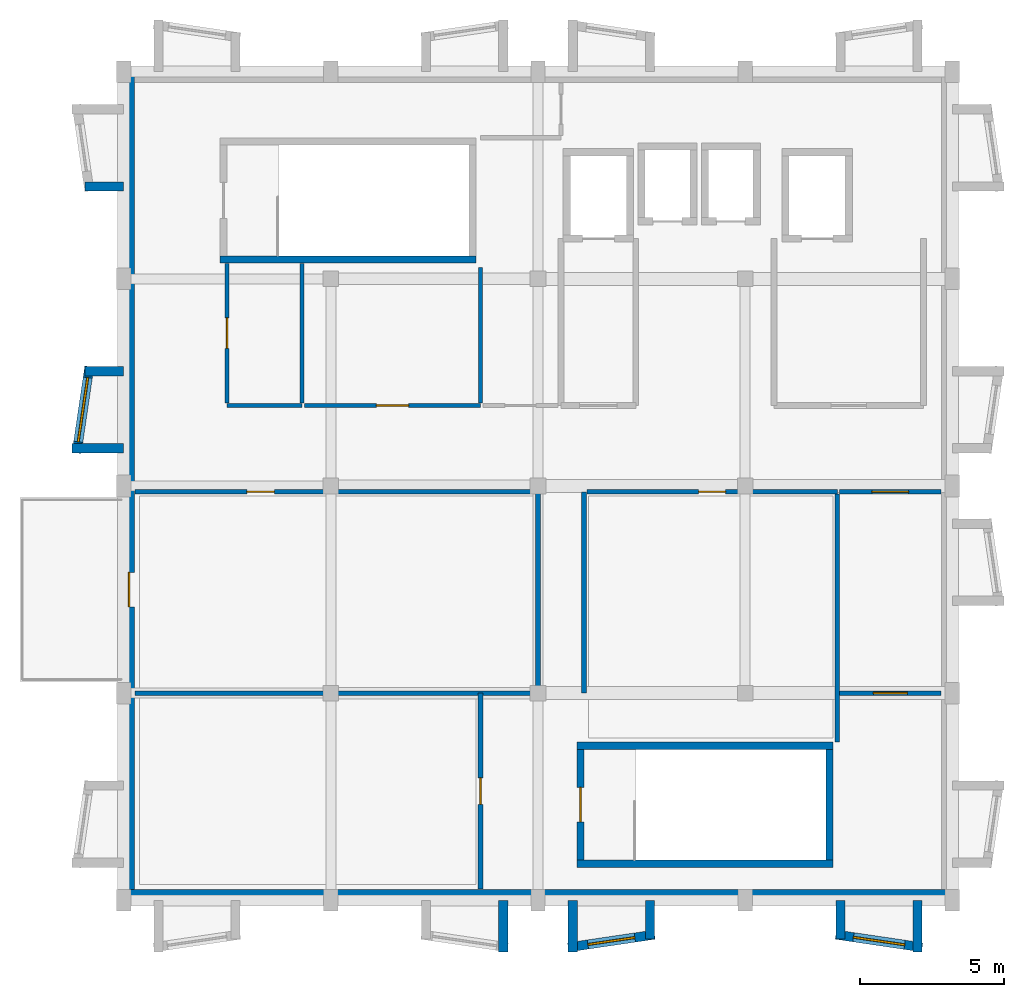
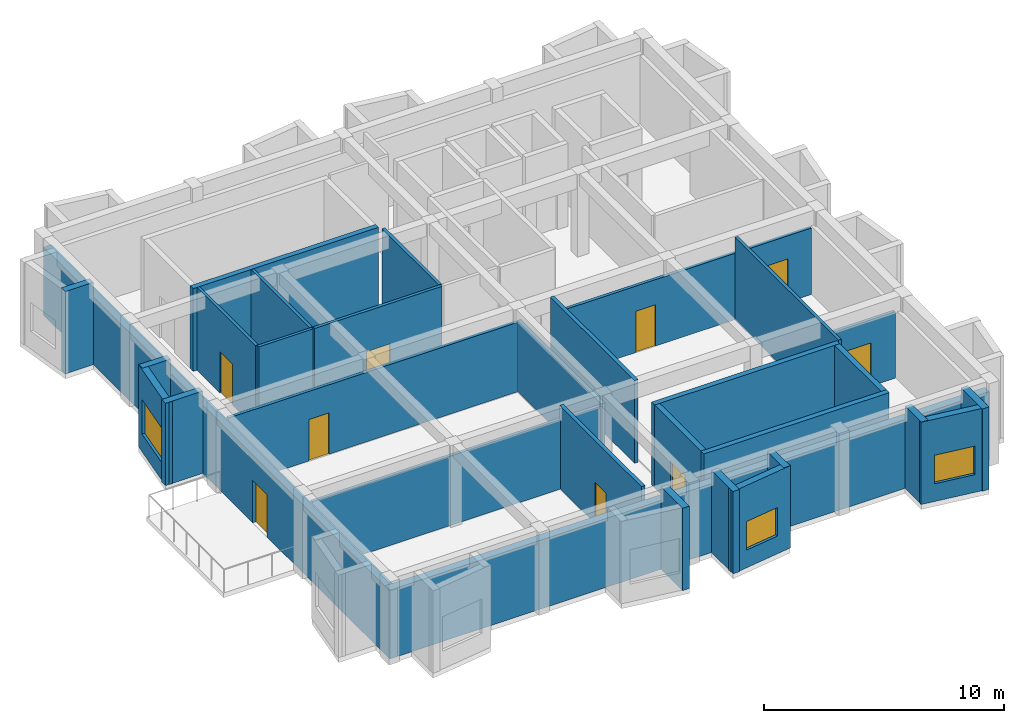
# One storey, part 2 of 5: 32 walls, 9 doors, 3 windows, 12 openings.
"""IFC4 building model written with IfcOpenShell, lengths in metres."""

import ifcopenshell
import ifcopenshell.guid

model = None  # the IFC model being written
_history = None  # IfcOwnerHistory: only IFC2X3 demands one
_inside = {}  # id of a spatial element -> (the spatial element, [elements in it])
_under = {}  # id of a project, library or spatial element -> (it, [spatial elements below it])
_declared = {}  # id of a project -> (the project, [libraries it declares])
_typed = {}  # id of a type object -> (the type object, [elements of that type])
_made_of = {}  # id of a material, layer set ... -> (it, [elements and type objects made of it])


def new_model(schema):
    """Start an empty IFC model of exactly this schema.

    Asked for "IFC4X3", IfcOpenShell would pick the latest addendum, in which some entities
    have other attributes; the version numbers below select the first issue.
    IFC2X3 requires an IfcOwnerHistory on every rooted entity: one is made here for all.
    """
    global model, _history
    if schema == "IFC4X3":
        model = ifcopenshell.file(schema_version=(4, 3, 0, 0))
    else:
        model = ifcopenshell.file(schema=schema)
    _inside.clear()
    _under.clear()
    _declared.clear()
    _typed.clear()
    _made_of.clear()
    _history = None
    if model.schema == "IFC2X3":
        org = make("IfcOrganization", Name="unknown")
        user = make(
            "IfcPersonAndOrganization",
            ThePerson=make("IfcPerson", FamilyName="unknown"),
            TheOrganization=org,
        )
        app = make(
            "IfcApplication",
            ApplicationDeveloper=org,
            Version="unknown",
            ApplicationFullName="unknown",
            ApplicationIdentifier="unknown",
        )
        _history = make(
            "IfcOwnerHistory",
            OwningUser=user,
            OwningApplication=app,
            ChangeAction="ADDED",
            CreationDate=0,
        )
    return model


def make(cls, **values):
    """One entity of the class cls with the attributes given. An attribute that is None is left unset."""
    return model.create_entity(
        cls, **{name: value for name, value in values.items() if value is not None}
    )


def rooted(cls, **values):
    """An entity with a GlobalId (a new one), such as an element, a storey or a relation."""
    return make(cls, GlobalId=ifcopenshell.guid.new(), OwnerHistory=_history, **values)


def si_unit(unit_type, name, prefix=None):
    """IfcSIUnit, for example si_unit("LENGTHUNIT", "METRE", prefix="MILLI")."""
    return make("IfcSIUnit", UnitType=unit_type, Prefix=prefix, Name=name)


def assignment(units):
    """IfcUnitAssignment: the units of a project."""
    return None if units is None else make("IfcUnitAssignment", Units=units)


def point(xyz):
    """IfcCartesianPoint."""
    return None if xyz is None else make("IfcCartesianPoint", Coordinates=xyz)


def direction(xyz):
    """IfcDirection."""
    return None if xyz is None else make("IfcDirection", DirectionRatios=xyz)


def frame(location, z_axis=None, x_axis=None):
    """IfcAxis2Placement3D, a coordinate frame: its origin and axes. An axis left out is left unset."""
    return make(
        "IfcAxis2Placement3D",
        Location=point(location),
        Axis=direction(z_axis),
        RefDirection=direction(x_axis),
    )


def frame_2d(location, x_axis=None):
    """IfcAxis2Placement2D, a coordinate frame in the plane: its origin and x axis."""
    return make(
        "IfcAxis2Placement2D", Location=point(location), RefDirection=direction(x_axis)
    )


def origin():
    """The frame at (0, 0, 0) with its axes left unset."""
    return frame((0.0, 0.0, 0.0))


def place(relative_to, where):
    """IfcLocalPlacement: puts the frame where relative to a parent placement (None: the world)."""
    return make(
        "IfcLocalPlacement", PlacementRelTo=relative_to, RelativePlacement=where
    )


def context(
    kind, dimensions, precision=None, world=None, true_north=None, identifier=None
):
    """IfcGeometricRepresentationContext, for example the 3D "Model" context."""
    return make(
        "IfcGeometricRepresentationContext",
        ContextIdentifier=identifier,
        ContextType=kind,
        CoordinateSpaceDimension=dimensions,
        Precision=precision,
        WorldCoordinateSystem=world,
        TrueNorth=true_north,
    )


def subcontext(parent, identifier, kind, view, scale=None):
    """IfcGeometricRepresentationSubContext, for example "Body" below "Model"."""
    return make(
        "IfcGeometricRepresentationSubContext",
        ContextIdentifier=identifier,
        ContextType=kind,
        ParentContext=parent,
        TargetScale=scale,
        TargetView=view,
    )


def project(units=None, contexts=None):
    """IfcProject with its units and contexts."""
    return rooted(
        "IfcProject",
        Name="project",
        RepresentationContexts=contexts,
        UnitsInContext=assignment(units),
    )


def spatial(cls, under=None, at=None, **own):
    """A site, building, storey or space (cls), placed at a placement, below another one or the project."""
    s = rooted(cls, ObjectPlacement=at, **own)
    if under is not None:
        _under.setdefault(under.id(), (under, []))[1].append(s)
    return s


def profile(cls, at=None, kind="AREA", **sizes):
    """A parametric profile (cls). Its sizes go by their IFC names, for example OverallWidth=200.0."""
    return make(cls, ProfileType=kind, Position=at, **sizes)


def rectangle(**sizes):
    """IfcRectangleProfileDef."""
    return profile("IfcRectangleProfileDef", **sizes)


def extrude(swept, where, along, depth):
    """IfcExtrudedAreaSolid: the profile swept, set in the frame where, extruded along a direction by depth."""
    return make(
        "IfcExtrudedAreaSolid",
        SweptArea=swept,
        Position=where,
        ExtrudedDirection=direction(along),
        Depth=depth,
    )


def shape(context_of_items, identifier, shape_type, items):
    """IfcShapeRepresentation: the items that make up one representation, for example the "Body"."""
    return make(
        "IfcShapeRepresentation",
        ContextOfItems=context_of_items,
        RepresentationIdentifier=identifier,
        RepresentationType=shape_type,
        Items=items,
    )


def material(Name=None, Category=None):
    """IfcMaterial."""
    return make("IfcMaterial", Name=Name, Category=Category)


def layer(
    of_material, thickness, ventilated=None, Name=None, Category=None, Priority=None
):
    """IfcMaterialLayer: one layer of a wall or slab, of a material (None: an air gap)."""
    return make(
        "IfcMaterialLayer",
        Material=of_material,
        LayerThickness=thickness,
        IsVentilated=ventilated,
        Name=Name,
        Category=Category,
        Priority=Priority,
    )


def layer_set(layers, Name=None):
    """IfcMaterialLayerSet."""
    return make("IfcMaterialLayerSet", MaterialLayers=layers, LayerSetName=Name)


def made_of(thing, what):
    """Note that an element or type object is made of a material, layer set ...; save() writes the relation."""
    if what is not None:
        _made_of.setdefault(what.id(), (what, []))[1].append(thing)
    return thing


def type_object(cls, material=None, **own):
    """A type object (cls), such as IfcWallType, which elements share."""
    return made_of(rooted(cls, **own), material)


def element(
    cls,
    number,
    at=None,
    inside=None,
    cuts=None,
    type_object=None,
    material=None,
    context=None,
    identifier="Body",
    shape_type=None,
    held_by="IfcProductDefinitionShape",
    body=None,
    shapes=None,
    **own,
):
    """One element of the class cls, such as IfcWall. Its Tag is "e" and its number.

    at: its placement. inside: the storey or other place that contains it. cuts: it is an
    opening in that element (IfcRelVoidsElement). A single representation is given by context,
    identifier, shape_type and body (its items); several are given by shapes. held_by: the class
    of the entity that holds the representations. save() writes the other relations.
    """
    e = rooted(cls, Tag="e%d" % number, ObjectPlacement=at, **own)
    if body is not None:
        shapes = [shape(context, identifier, shape_type, body)]
    if shapes is not None:
        e.Representation = make(held_by, Representations=shapes)
    if inside is not None:
        _inside.setdefault(inside.id(), (inside, []))[1].append(e)
    if cuts is not None:
        rooted(
            "IfcRelVoidsElement", RelatingBuildingElement=cuts, RelatedOpeningElement=e
        )
    if type_object is not None:
        _typed.setdefault(type_object.id(), (type_object, []))[1].append(e)
    return made_of(e, material)


def fill(opening, filler):
    """IfcRelFillsElement: the door or window that sits in an opening."""
    return rooted(
        "IfcRelFillsElement",
        RelatingOpeningElement=opening,
        RelatedBuildingElement=filler,
    )


def aggregate(whole, parts):
    """IfcRelAggregates: a whole, such as a stair, and the parts it consists of."""
    return rooted("IfcRelAggregates", RelatingObject=whole, RelatedObjects=parts)


def save(model, path):
    """Write the relations noted so far, then the file.

    IfcRelAggregates (storeys below a building ...), IfcRelContainedInSpatialStructure (elements
    in a storey), IfcRelDefinesByType, IfcRelAssociatesMaterial and IfcRelDeclares: one each for
    every whole, place, type object, material and project.
    """
    for whole, parts in _under.values():
        aggregate(whole, parts)
    for where, things in _inside.values():
        rooted(
            "IfcRelContainedInSpatialStructure",
            RelatedElements=things,
            RelatingStructure=where,
        )
    for kind, things in _typed.values():
        rooted("IfcRelDefinesByType", RelatedObjects=things, RelatingType=kind)
    for what, things in _made_of.values():
        rooted("IfcRelAssociatesMaterial", RelatedObjects=things, RelatingMaterial=what)
    for by, libraries in _declared.values():
        rooted("IfcRelDeclares", RelatingContext=by, RelatedDefinitions=libraries)
    model.write(path)


model = new_model("IFC4")

# Units and contexts
model_context = context("Model", 3, precision=1e-05, world=origin(), true_north=direction((0.0, 1.0)))
body_context = subcontext(model_context, "Body", "Model", "MODEL_VIEW")
ifc_project = project(units=[si_unit("LENGTHUNIT", "METRE"), si_unit("AREAUNIT", "SQUARE_METRE"), si_unit("VOLUMEUNIT", "CUBIC_METRE"), si_unit("PLANEANGLEUNIT", "RADIAN"), si_unit("MASSUNIT", "GRAM", prefix="KILO")], contexts=[model_context])

# Site, building, storey
site_placement = place(None, origin())
site = spatial("IfcSite", under=ifc_project, at=site_placement, CompositionType="ELEMENT")
building_placement = place(site_placement, origin())
building = spatial("IfcBuilding", under=site, at=building_placement, Name="Bramveld Media Centre", CompositionType="ELEMENT")
storey_placement = place(building_placement, frame((0.0, 0.0, 29.699951171875)))
storey = spatial("IfcBuildingStorey", under=building, at=storey_placement, Name="L07", CompositionType="ELEMENT", Elevation=29.699951171875)

# Walls
ifc_material_1 = material(Name="Concrete C40/50 stair & lift core wall", Category="concrete")
ifc_layer_1 = layer(ifc_material_1, 0.25)
ifc_layer_set_1 = layer_set([ifc_layer_1], Name="Concrete C40/50 stair & lift core wall")
wall_type_1 = type_object("IfcWallType", Name="CWALL-SHEAR-250", PredefinedType="SHEAR", material=ifc_layer_set_1)
wall_1_placement = place(storey_placement, frame((134.550048828125, 105.47509765625, 0.0), z_axis=(0.0, 0.0, 1.0), x_axis=(1.0, 0.0, 0.0)))
element("IfcWall", 1, at=wall_1_placement, inside=storey, type_object=wall_type_1, Name="ST-01 L07 stair core shear wall S", PredefinedType="SHEAR", context=body_context, shape_type="SweptSolid", body=[
    extrude(rectangle(XDim=8.89990234375, YDim=0.25, at=frame_2d((4.449951171875, 0.0))), origin(), (0.0, 0.0, 1.0), 4.199951171875),
])
for number, where, z_axis, x_axis, name in (
    (2, (146.949951171875, 84.47509765625, 0.0), (0.0, 0.0, 1.0), (1.0, 0.0, 0.0), "ST-02 L07 stair core shear wall S"),
    (3, (155.85009765625, 88.574951171875, 0.0), (0.0, 0.0, 1.0), (-1.0, 0.0, 0.0), "ST-02 L07 stair core shear wall N"),
):
    element("IfcWall", number, at=place(storey_placement, frame(where, z_axis=z_axis, x_axis=x_axis)), inside=storey, type_object=wall_type_1, Name=name, PredefinedType="SHEAR", context=body_context, shape_type="SweptSolid", body=[
        extrude(rectangle(XDim=8.900146484375, YDim=0.25, at=frame_2d((4.4501953125, 0.0))), origin(), (0.0, 0.0, 1.0), 4.199951171875),
    ])

# Wall, opening, door
wall_2_placement = place(storey_placement, frame((147.074951171875, 88.449951171875, 0.0), z_axis=(0.0, 0.0, 1.0), x_axis=(0.0, -1.0, 0.0)))
wall_2 = element("IfcWall", 4, at=wall_2_placement, inside=storey, type_object=wall_type_1, Name="ST-02 L07 stair core shear wall W", PredefinedType="SHEAR", context=body_context, shape_type="SweptSolid", body=[
    extrude(rectangle(XDim=3.849853515625, YDim=0.25, at=frame_2d((1.9248046875, 0.0))), origin(), (0.0, 0.0, 1.0), 4.199951171875),
])
opening_1_placement = place(wall_2_placement, frame((1.324951171875, 0.0, 0.0)))
opening_1 = element("IfcOpeningElement", 5, at=opening_1_placement, cuts=wall_2, Name="Opening SD-02-L07", PredefinedType="OPENING", context=body_context, shape_type="SweptSolid", body=[
    extrude(rectangle(XDim=1.199951171875, YDim=2.14990234375, at=frame_2d((0.60009765625, 1.074951171875))), frame((0.0, 0.136962890625, 0.0), z_axis=(0.0, -1.0, 0.0), x_axis=(1.0, 0.0, 0.0)), (0.0, 0.0, 1.0), 0.27392578125),
])
ifc_material_2 = material(Name="Painted galvanized steel acoustic fire door with intumescent smoke seals", Category="steel")
door_type_1 = type_object("IfcDoorType", Name="DR-ST-1200", OperationType="NOTDEFINED", PredefinedType="DOOR", material=ifc_material_2)
door_1_placement = place(opening_1_placement, origin())
door_1 = element("IfcDoor", 6, at=door_1_placement, inside=storey, type_object=door_type_1, Name="ST-02 L07 pressurized stair fire door", OperationType="SINGLE_SWING_RIGHT", OverallHeight=2.14990234375, OverallWidth=1.199951171875, PredefinedType="DOOR", context=body_context, shape_type="SweptSolid", body=[
    extrude(rectangle(XDim=1.199951171875, YDim=2.14990234375, at=frame_2d((0.60009765625, 1.074951171875))), frame((0.0, 0.02490234375, 0.0), z_axis=(0.0, -1.0, 0.0), x_axis=(1.0, 0.0, 0.0)), (0.0, 0.0, 1.0), 0.050048828125),
])
fill(opening_1, door_1)

# Walls
wall_3_placement = place(storey_placement, frame((155.72509765625, 84.60009765625, 0.0), z_axis=(0.0, 0.0, 1.0), x_axis=(0.0, 1.0, 0.0)))
element("IfcWall", 7, at=wall_3_placement, inside=storey, type_object=wall_type_1, Name="ST-02 L07 stair core shear wall E", PredefinedType="SHEAR", context=body_context, shape_type="SweptSolid", body=[
    extrude(rectangle(XDim=3.849853515625, YDim=0.25, at=frame_2d((1.9248046875, 0.0))), origin(), (0.0, 0.0, 1.0), 4.199951171875),
])
ifc_material_3 = material(Name="Flemish red-brown clay facing brick cavity wall with calcium-silicate backing", Category="masonry")
ifc_layer_2 = layer(ifc_material_3, 0.3798828125)
ifc_layer_set_2 = layer_set([ifc_layer_2], Name="Flemish red-brown clay facing brick cavity wall with calcium-silicate backing")
wall_type_2 = type_object("IfcWallType", Name="EW-BRK-380", PredefinedType="SOLIDWALL", material=ifc_layer_set_2)
wall_4_placement = place(storey_placement, frame((160.0, 83.389892578125, 0.0), z_axis=(0.0, 0.0, 1.0), x_axis=(-1.0, 0.0, 0.0)))
element("IfcWall", 8, at=wall_4_placement, inside=storey, type_object=wall_type_2, Name="V7 L07 S facing brick exterior wall", PredefinedType="SOLIDWALL", context=body_context, shape_type="SweptSolid", body=[
    extrude(rectangle(XDim=28.800048828125, YDim=0.3798828125, at=frame_2d((14.39990234375, 0.0))), origin(), (0.0, 0.0, 1.0), 3.4951171875),
])

# Wall, opening, door
wall_5_placement = place(storey_placement, frame((131.389892578125, 83.199951171875, 0.0), z_axis=(0.0, 0.0, 1.0), x_axis=(0.0, 1.0, 0.0)))
wall_5 = element("IfcWall", 9, at=wall_5_placement, inside=storey, type_object=wall_type_2, Name="V7 L07 W facing brick exterior wall", PredefinedType="SOLIDWALL", context=body_context, shape_type="SweptSolid", body=[
    extrude(rectangle(XDim=28.800048828125, YDim=0.3798828125, at=frame_2d((14.39990234375, 0.0))), origin(), (0.0, 0.0, 1.0), 3.455078125),
])
opening_2_placement = place(wall_5_placement, frame((10.199951171875, 0.0, 0.0)))
opening_2 = element("IfcOpeningElement", 10, at=opening_2_placement, cuts=wall_5, Name="Opening TD-12", PredefinedType="OPENING", context=body_context, shape_type="SweptSolid", body=[
    extrude(rectangle(XDim=1.199951171875, YDim=2.14990234375, at=frame_2d((0.60009765625, 1.074951171875))), frame((0.0, 0.201904296875, 0.0), z_axis=(0.0, -1.0, 0.0), x_axis=(1.0, 0.0, 0.0)), (0.0, 0.0, 1.0), 0.40380859375),
])
ifc_material_4 = material(Name="Insulated powder-coated bronze aluminium & laminated safety glass door", Category="aluminium")
door_type_2 = type_object("IfcDoorType", Name="DR-TER-1200", OperationType="NOTDEFINED", PredefinedType="DOOR", material=ifc_material_4)
door_2_placement = place(opening_2_placement, origin())
door_2 = element("IfcDoor", 11, at=door_2_placement, inside=storey, type_object=door_type_2, Name="Exterior door TD-12", OperationType="SINGLE_SWING_RIGHT", OverallHeight=2.14990234375, OverallWidth=1.199951171875, PredefinedType="DOOR", context=body_context, shape_type="SweptSolid", body=[
    extrude(rectangle(XDim=1.199951171875, YDim=2.14990234375, at=frame_2d((0.60009765625, 1.074951171875))), frame((0.0, 0.02490234375, 0.0), z_axis=(0.0, -1.0, 0.0), x_axis=(1.0, 0.0, 0.0)), (0.0, 0.0, 1.0), 0.050048828125),
])
fill(opening_2, door_2)

# Wall
ifc_material_5 = material(Name="Precast concrete C40/50 & brick-slip faceted bay cheek wall", Category="masonry")
ifc_layer_3 = layer(ifc_material_5, 0.320068359375)
ifc_layer_set_3 = layer_set([ifc_layer_3], Name="Precast concrete C40/50 & brick-slip faceted bay cheek wall")
wall_type_3 = type_object("IfcWallType", Name="EW-FACET-320", PredefinedType="SOLIDWALL", material=ifc_layer_set_3)
wall_6_placement = place(storey_placement, frame((144.389892578125, 83.199951171875, 0.0), z_axis=(0.0, 0.0, 1.0), x_axis=(0.0, -1.0, 0.0)))
element("IfcWall", 12, at=wall_6_placement, inside=storey, type_object=wall_type_3, Name="V7 L07 S faceted bay cheek wall", PredefinedType="SOLIDWALL", context=body_context, shape_type="SweptSolid", body=[
    extrude(rectangle(XDim=1.79296875, YDim=0.320068359375, at=frame_2d((0.896484375, 0.0))), origin(), (0.0, 0.0, 1.0), 4.179931640625),
])

# Wall, opening, window
wall_7_placement = place(storey_placement, frame((146.64990234375, 81.56689453125, 0.0), z_axis=(0.0, 0.0, 1.0), x_axis=(0.989266910268, 0.146119746268, 0.0)))
wall_7 = element("IfcWall", 13, at=wall_7_placement, inside=storey, type_object=wall_type_3, Name="V7 L07 S angled faceted bay front wall 3", PredefinedType="SOLIDWALL", context=body_context, shape_type="SweptSolid", body=[
    extrude(rectangle(XDim=3.032470703125, YDim=0.320068359375, at=frame_2d((1.51611328125, 0.0))), origin(), (0.0, 0.0, 1.0), 4.179931640625),
])
opening_3_placement = place(wall_7_placement, frame((0.69140625, 0.0, 0.89990234375)))
opening_3 = element("IfcOpeningElement", 14, at=opening_3_placement, cuts=wall_7, Name="Opening W-25", PredefinedType="OPENING", context=body_context, shape_type="SweptSolid", body=[
    extrude(rectangle(XDim=1.64990234375, YDim=1.449951171875, at=frame_2d((0.824951171875, 0.72509765625))), frame((0.0, 0.171875, 0.0), z_axis=(0.0, -1.0, 0.0), x_axis=(1.0, 0.0, 0.0)), (0.0, 0.0, 1.0), 0.343994140625),
])
ifc_material_6 = material(Name="Thermally broken anodized bronze aluminium frame with triple acoustic glazing", Category="aluminium")
window_type_1 = type_object("IfcWindowType", Name="WIN-FAC-25", PartitioningType="SINGLE_PANEL", PredefinedType="WINDOW", material=ifc_material_6)
window_1_placement = place(opening_3_placement, origin())
window_1 = element("IfcWindow", 15, at=window_1_placement, inside=storey, type_object=window_type_1, Name="V7 L07 S faceted bay window 3", OverallHeight=1.449951171875, OverallWidth=1.64990234375, PartitioningType="SINGLE_PANEL", PredefinedType="WINDOW", context=body_context, shape_type="SweptSolid", body=[
    extrude(rectangle(XDim=1.64990234375, YDim=1.449951171875, at=frame_2d((0.824951171875, 0.72509765625))), frame((0.0, 0.030029296875, 0.0), z_axis=(0.0, -1.0, 0.0), x_axis=(1.0, 0.0, 0.0)), (0.0, 0.0, 1.0), 0.06005859375),
])
fill(opening_3, window_1)

# Walls
wall_8_placement = place(storey_placement, frame((146.81005859375, 83.199951171875, 0.0), z_axis=(0.0, 0.0, 1.0), x_axis=(0.0, -1.0, 0.0)))
element("IfcWall", 16, at=wall_8_placement, inside=storey, type_object=wall_type_3, Name="V7 L07 S faceted bay cheek wall", PredefinedType="SOLIDWALL", context=body_context, shape_type="SweptSolid", body=[
    extrude(rectangle(XDim=1.79296875, YDim=0.320068359375, at=frame_2d((0.896484375, 0.0))), origin(), (0.0, 0.0, 1.0), 4.179931640625),
])
wall_9_placement = place(storey_placement, frame((149.489990234375, 83.199951171875, 0.0), z_axis=(0.0, 0.0, 1.0), x_axis=(0.0, -1.0, 0.0)))
element("IfcWall", 17, at=wall_9_placement, inside=storey, type_object=wall_type_3, Name="V7 L07 S faceted bay cheek wall", PredefinedType="SOLIDWALL", context=body_context, shape_type="SweptSolid", body=[
    extrude(rectangle(XDim=1.349853515625, YDim=0.320068359375, at=frame_2d((0.6748046875, 0.0))), origin(), (0.0, 0.0, 1.0), 4.179931640625),
])

# Wall, opening, window
wall_10_placement = place(storey_placement, frame((155.949951171875, 82.010009765625, 0.0), z_axis=(0.0, 0.0, 1.0), x_axis=(0.989266910268, -0.146119746268, 0.0)))
wall_10 = element("IfcWall", 18, at=wall_10_placement, inside=storey, type_object=wall_type_3, Name="V7 L07 S angled faceted bay front wall 4", PredefinedType="SOLIDWALL", context=body_context, shape_type="SweptSolid", body=[
    extrude(rectangle(XDim=3.032470703125, YDim=0.320068359375, at=frame_2d((1.51611328125, 0.0))), origin(), (0.0, 0.0, 1.0), 4.179931640625),
])
opening_4_placement = place(wall_10_placement, frame((0.6162109375, 0.0, 0.89990234375)))
opening_4 = element("IfcOpeningElement", 19, at=opening_4_placement, cuts=wall_10, Name="Opening W-26", PredefinedType="OPENING", context=body_context, shape_type="SweptSolid", body=[
    extrude(rectangle(XDim=1.800048828125, YDim=1.449951171875, at=frame_2d((0.89990234375, 0.72509765625))), frame((0.0, 0.171875, 0.0), z_axis=(0.0, -1.0, 0.0), x_axis=(1.0, 0.0, 0.0)), (0.0, 0.0, 1.0), 0.343994140625),
])
ifc_material_7 = material(Name="Thermally broken anodized bronze aluminium frame with triple acoustic glazing", Category="aluminium")
window_type_2 = type_object("IfcWindowType", Name="WIN-FAC-26", PartitioningType="SINGLE_PANEL", PredefinedType="WINDOW", material=ifc_material_7)
window_2_placement = place(opening_4_placement, origin())
window_2 = element("IfcWindow", 20, at=window_2_placement, inside=storey, type_object=window_type_2, Name="V7 L07 S faceted bay window 4", OverallHeight=1.449951171875, OverallWidth=1.800048828125, PartitioningType="SINGLE_PANEL", PredefinedType="WINDOW", context=body_context, shape_type="SweptSolid", body=[
    extrude(rectangle(XDim=1.800048828125, YDim=1.449951171875, at=frame_2d((0.89990234375, 0.72509765625))), frame((0.0, 0.030029296875, 0.0), z_axis=(0.0, -1.0, 0.0), x_axis=(1.0, 0.0, 0.0)), (0.0, 0.0, 1.0), 0.06005859375),
])
fill(opening_4, window_2)

# Walls
wall_11_placement = place(storey_placement, frame((156.110107421875, 83.199951171875, 0.0), z_axis=(0.0, 0.0, 1.0), x_axis=(0.0, -1.0, 0.0)))
element("IfcWall", 21, at=wall_11_placement, inside=storey, type_object=wall_type_3, Name="V7 L07 S faceted bay cheek wall", PredefinedType="SOLIDWALL", context=body_context, shape_type="SweptSolid", body=[
    extrude(rectangle(XDim=1.349853515625, YDim=0.320068359375, at=frame_2d((0.6748046875, 0.0))), origin(), (0.0, 0.0, 1.0), 4.179931640625),
])
wall_12_placement = place(storey_placement, frame((158.7900390625, 83.199951171875, 0.0), z_axis=(0.0, 0.0, 1.0), x_axis=(0.0, -1.0, 0.0)))
element("IfcWall", 22, at=wall_12_placement, inside=storey, type_object=wall_type_3, Name="V7 L07 S faceted bay cheek wall", PredefinedType="SOLIDWALL", context=body_context, shape_type="SweptSolid", body=[
    extrude(rectangle(XDim=1.79296875, YDim=0.320068359375, at=frame_2d((0.896484375, 0.0))), origin(), (0.0, 0.0, 1.0), 4.179931640625),
])

# Wall, opening, window
wall_13_placement = place(storey_placement, frame((130.010009765625, 101.75, 0.0), z_axis=(0.0, 0.0, 1.0), x_axis=(-0.146119746268, -0.989266910268, 0.0)))
wall_13 = element("IfcWall", 23, at=wall_13_placement, inside=storey, type_object=wall_type_3, Name="V7 L07 W angled faceted bay front wall 3", PredefinedType="SOLIDWALL", context=body_context, shape_type="SweptSolid", body=[
    extrude(rectangle(XDim=3.032470703125, YDim=0.320068359375, at=frame_2d((1.51611328125, 0.0))), origin(), (0.0, 0.0, 1.0), 4.179931640625),
])
opening_5_placement = place(wall_13_placement, frame((0.391357421875, 0.0, 0.89990234375)))
opening_5 = element("IfcOpeningElement", 24, at=opening_5_placement, cuts=wall_13, Name="Opening W-36", PredefinedType="OPENING", context=body_context, shape_type="SweptSolid", body=[
    extrude(rectangle(XDim=2.25, YDim=1.75, at=frame_2d((1.125, 0.875))), frame((0.0, 0.171875, 0.0), z_axis=(0.0, -1.0, 0.0), x_axis=(1.0, 0.0, 0.0)), (0.0, 0.0, 1.0), 0.343994140625),
])
ifc_material_8 = material(Name="Thermally broken anodized bronze aluminium frame with triple acoustic glazing", Category="aluminium")
window_type_3 = type_object("IfcWindowType", Name="WIN-FAC-36", PartitioningType="SINGLE_PANEL", PredefinedType="WINDOW", material=ifc_material_8)
window_3_placement = place(opening_5_placement, origin())
window_3 = element("IfcWindow", 25, at=window_3_placement, inside=storey, type_object=window_type_3, Name="V7 L07 W faceted bay window 3", OverallHeight=1.75, OverallWidth=2.25, PartitioningType="SINGLE_PANEL", PredefinedType="WINDOW", context=body_context, shape_type="SweptSolid", body=[
    extrude(rectangle(XDim=2.25, YDim=1.75, at=frame_2d((1.125, 0.875))), frame((0.0, 0.030029296875, 0.0), z_axis=(0.0, -1.0, 0.0), x_axis=(1.0, 0.0, 0.0)), (0.0, 0.0, 1.0), 0.06005859375),
])
fill(opening_5, window_3)

# Walls
wall_14_placement = place(storey_placement, frame((131.199951171875, 98.909912109375, 0.0), z_axis=(0.0, 0.0, 1.0), x_axis=(-1.0, 0.0, 0.0)))
element("IfcWall", 26, at=wall_14_placement, inside=storey, type_object=wall_type_3, Name="V7 L07 W faceted bay cheek wall", PredefinedType="SOLIDWALL", context=body_context, shape_type="SweptSolid", body=[
    extrude(rectangle(XDim=1.79296875, YDim=0.320068359375, at=frame_2d((0.896484375, 0.0))), origin(), (0.0, 0.0, 1.0), 4.179931640625),
])
for number, where, z_axis, x_axis, name in (
    (27, (131.199951171875, 101.590087890625, 0.0), (0.0, 0.0, 1.0), (-1.0, 0.0, 0.0), "V7 L07 W faceted bay cheek wall"),
    (28, (131.199951171875, 108.010009765625, 0.0), (0.0, 0.0, 1.0), (-1.0, 0.0, 0.0), "V7 L07 W faceted bay cheek wall"),
):
    element("IfcWall", number, at=place(storey_placement, frame(where, z_axis=z_axis, x_axis=x_axis)), inside=storey, type_object=wall_type_3, Name=name, PredefinedType="SOLIDWALL", context=body_context, shape_type="SweptSolid", body=[
        extrude(rectangle(XDim=1.349853515625, YDim=0.320068359375, at=frame_2d((0.6748046875, 0.0))), origin(), (0.0, 0.0, 1.0), 4.179931640625),
    ])

# Wall, opening, door
ifc_material_9 = material(Name="Fire-rated twin-frame gypsum corridor wall", Category="gypsum")
ifc_layer_4 = layer(ifc_material_9, 0.179931640625)
ifc_layer_set_4 = layer_set([ifc_layer_4], Name="Fire-rated twin-frame gypsum corridor wall")
wall_type_4 = type_object("IfcWallType", Name="IW-FIRE-180", PredefinedType="PARTITIONING", material=ifc_layer_set_4)
wall_15_placement = place(storey_placement, frame((143.60009765625, 83.60009765625, 0.0), z_axis=(0.0, 0.0, 1.0), x_axis=(0.0, 1.0, 0.0)))
wall_15 = element("IfcWall", 29, at=wall_15_placement, inside=storey, type_object=wall_type_4, Name="Stair ST-02 L07 Landing Lobby partition wall", PredefinedType="PARTITIONING", context=body_context, shape_type="SweptSolid", body=[
    extrude(rectangle(XDim=6.7998046875, YDim=0.179931640625, at=frame_2d((3.39990234375, 0.0))), origin(), (0.0, 0.0, 1.0), 4.199951171875),
])
opening_6_placement = place(wall_15_placement, frame((2.93994140625, 0.0, 0.0)))
opening_6 = element("IfcOpeningElement", 30, at=opening_6_placement, cuts=wall_15, Name="Opening D-07-218", PredefinedType="OPENING", context=body_context, shape_type="SweptSolid", body=[
    extrude(rectangle(XDim=0.919921875, YDim=2.080078125, at=frame_2d((0.4599609375, 1.0400390625))), frame((0.0, 0.10205078125, 0.0), z_axis=(0.0, -1.0, 0.0), x_axis=(1.0, 0.0, 0.0)), (0.0, 0.0, 1.0), 0.203857421875),
])
ifc_material_10 = material(Name="Solid-core European oak acoustic timber leaf in steel frame", Category="steel")
door_type_3 = type_object("IfcDoorType", Name="DR-RM-0920", OperationType="NOTDEFINED", PredefinedType="DOOR", material=ifc_material_10)
door_3_placement = place(opening_6_placement, origin())
door_3 = element("IfcDoor", 31, at=door_3_placement, inside=storey, type_object=door_type_3, Name="Panorama Broadcast Screening Studio entrance door", OperationType="SINGLE_SWING_LEFT", OverallHeight=2.080078125, OverallWidth=0.919921875, PredefinedType="DOOR", context=body_context, shape_type="SweptSolid", body=[
    extrude(rectangle(XDim=0.919921875, YDim=2.080078125, at=frame_2d((0.4599609375, 1.0400390625))), frame((0.0, 0.02490234375, 0.0), z_axis=(0.0, -1.0, 0.0), x_axis=(1.0, 0.0, 0.0)), (0.0, 0.0, 1.0), 0.050048828125),
])
fill(opening_6, door_3)

# Walls
wall_16_placement = place(storey_placement, frame((145.60009765625, 90.39990234375, 0.0), z_axis=(0.0, 0.0, 1.0), x_axis=(0.0, 1.0, 0.0)))
element("IfcWall", 32, at=wall_16_placement, inside=storey, type_object=wall_type_4, Name="Stair ST-02 L07 Link Corridor partition wall", PredefinedType="PARTITIONING", context=body_context, shape_type="SweptSolid", body=[
    extrude(rectangle(XDim=7.0, YDim=0.179931640625, at=frame_2d((3.5, 0.0))), origin(), (0.0, 0.0, 1.0), 3.574951171875),
])
wall_17_placement = place(storey_placement, frame((147.199951171875, 90.39990234375, 0.0), z_axis=(0.0, 0.0, 1.0), x_axis=(0.0, 1.0, 0.0)))
element("IfcWall", 33, at=wall_17_placement, inside=storey, type_object=wall_type_4, Name="Stair ST-02 L07 Link Corridor partition wall", PredefinedType="PARTITIONING", context=body_context, shape_type="SweptSolid", body=[
    extrude(rectangle(XDim=7.0, YDim=0.179931640625, at=frame_2d((3.5, 0.0))), origin(), (0.0, 0.0, 1.0), 4.199951171875),
])
ifc_material_11 = material(Name="Insulated metal-stud gypsum room partition", Category="gypsum")
ifc_layer_5 = layer(ifc_material_11, 0.14990234375)
ifc_layer_set_5 = layer_set([ifc_layer_5], Name="Insulated metal-stud gypsum room partition")
wall_type_5 = type_object("IfcWallType", Name="IW-PART-150", PredefinedType="PARTITIONING", material=ifc_layer_set_5)
wall_18_placement = place(storey_placement, frame((131.60009765625, 90.39990234375, 0.0), z_axis=(0.0, 0.0, 1.0), x_axis=(1.0, 0.0, 0.0)))
element("IfcWall", 34, at=wall_18_placement, inside=storey, type_object=wall_type_5, Name="Panorama Live Interview Studio partition wall", PredefinedType="PARTITIONING", context=body_context, shape_type="SweptSolid", body=[
    extrude(rectangle(XDim=13.89990234375, YDim=0.14990234375, at=frame_2d((6.949951171875, 0.0))), origin(), (0.0, 0.0, 1.0), 3.525146484375),
])

# Wall, opening, door
wall_19_placement = place(storey_placement, frame((131.60009765625, 97.39990234375, 0.0), z_axis=(0.0, 0.0, 1.0), x_axis=(1.0, 0.0, 0.0)))
wall_19 = element("IfcWall", 35, at=wall_19_placement, inside=storey, type_object=wall_type_5, Name="Panorama Live Interview Studio partition wall", PredefinedType="PARTITIONING", context=body_context, shape_type="SweptSolid", body=[
    extrude(rectangle(XDim=13.89990234375, YDim=0.14990234375, at=frame_2d((6.949951171875, 0.0))), origin(), (0.0, 0.0, 1.0), 3.525146484375),
])
opening_7_placement = place(wall_19_placement, frame((3.882080078125, 0.0, 0.0)))
opening_7 = element("IfcOpeningElement", 36, at=opening_7_placement, cuts=wall_19, Name="Opening D-07-216", PredefinedType="OPENING", context=body_context, shape_type="SweptSolid", body=[
    extrude(rectangle(XDim=0.9599609375, YDim=2.10009765625, at=frame_2d((0.47998046875, 1.050048828125))), frame((0.0, 0.0869140625, 0.0), z_axis=(0.0, -1.0, 0.0), x_axis=(1.0, 0.0, 0.0)), (0.0, 0.0, 1.0), 0.173828125),
])
ifc_material_12 = material(Name="Solid-core European oak acoustic timber leaf in steel frame", Category="steel")
door_type_4 = type_object("IfcDoorType", Name="DR-RM-0960", OperationType="NOTDEFINED", PredefinedType="DOOR", material=ifc_material_12)
door_4_placement = place(opening_7_placement, origin())
door_4 = element("IfcDoor", 37, at=door_4_placement, inside=storey, type_object=door_type_4, Name="Panorama Live Interview Studio entrance door", OperationType="SINGLE_SWING_LEFT", OverallHeight=2.10009765625, OverallWidth=0.9599609375, PredefinedType="DOOR", context=body_context, shape_type="SweptSolid", body=[
    extrude(rectangle(XDim=0.9599609375, YDim=2.10009765625, at=frame_2d((0.47998046875, 1.050048828125))), frame((0.0, 0.02490234375, 0.0), z_axis=(0.0, -1.0, 0.0), x_axis=(1.0, 0.0, 0.0)), (0.0, 0.0, 1.0), 0.050048828125),
])
fill(opening_7, door_4)

wall_20_placement = place(storey_placement, frame((147.300048828125, 97.39990234375, 0.0), z_axis=(0.0, 0.0, 1.0), x_axis=(1.0, 0.0, 0.0)))
wall_20 = element("IfcWall", 38, at=wall_20_placement, inside=storey, type_object=wall_type_5, Name="Civic Media Symposium & Press Hall partition wall", PredefinedType="PARTITIONING", context=body_context, shape_type="SweptSolid", body=[
    extrude(rectangle(XDim=8.699951171875, YDim=0.14990234375, at=frame_2d((4.35009765625, 0.0))), origin(), (0.0, 0.0, 1.0), 3.375),
])
opening_8_placement = place(wall_20_placement, frame((3.8798828125, 0.0, 0.0)))
opening_8 = element("IfcOpeningElement", 39, at=opening_8_placement, cuts=wall_20, Name="Opening D-07-217", PredefinedType="OPENING", context=body_context, shape_type="SweptSolid", body=[
    extrude(rectangle(XDim=0.93994140625, YDim=2.10009765625, at=frame_2d((0.469970703125, 1.050048828125))), frame((0.0, 0.0869140625, 0.0), z_axis=(0.0, -1.0, 0.0), x_axis=(1.0, 0.0, 0.0)), (0.0, 0.0, 1.0), 0.173828125),
])
ifc_material_13 = material(Name="Solid-core European oak acoustic timber leaf in steel frame", Category="steel")
door_type_5 = type_object("IfcDoorType", Name="DR-RM-0940", OperationType="NOTDEFINED", PredefinedType="DOOR", material=ifc_material_13)
door_5_placement = place(opening_8_placement, origin())
door_5 = element("IfcDoor", 40, at=door_5_placement, inside=storey, type_object=door_type_5, Name="Civic Media Symposium & Press Hall entrance door", OperationType="SINGLE_SWING_RIGHT", OverallHeight=2.10009765625, OverallWidth=0.93994140625, PredefinedType="DOOR", context=body_context, shape_type="SweptSolid", body=[
    extrude(rectangle(XDim=0.93994140625, YDim=2.10009765625, at=frame_2d((0.469970703125, 1.050048828125))), frame((0.0, 0.02490234375, 0.0), z_axis=(0.0, -1.0, 0.0), x_axis=(1.0, 0.0, 0.0)), (0.0, 0.0, 1.0), 0.050048828125),
])
fill(opening_8, door_5)

# Wall
wall_21_placement = place(storey_placement, frame((156.0, 88.7099609375, 0.0), z_axis=(0.0, 0.0, 1.0), x_axis=(0.0, 1.0, 0.0)))
element("IfcWall", 41, at=wall_21_placement, inside=storey, type_object=wall_type_5, Name="Civic Media Symposium & Press Hall partition wall", PredefinedType="PARTITIONING", context=body_context, shape_type="SweptSolid", body=[
    extrude(rectangle(XDim=8.60498046875, YDim=0.14990234375, at=frame_2d((4.302490234375, 0.0))), origin(), (0.0, 0.0, 1.0), 4.199951171875),
])

# Wall, opening, door
wall_22_placement = place(storey_placement, frame((156.0849609375, 90.39990234375, 0.0), z_axis=(0.0, 0.0, 1.0), x_axis=(1.0, 0.0, 0.0)))
wall_22 = element("IfcWall", 42, at=wall_22_placement, inside=storey, type_object=wall_type_5, Name="Crown Acoustic Orchestral & Mixing Studio partition wall", PredefinedType="PARTITIONING", context=body_context, shape_type="SweptSolid", body=[
    extrude(rectangle(XDim=3.51513671875, YDim=0.14990234375, at=frame_2d((1.757568359375, 0.0))), origin(), (0.0, 0.0, 1.0), 3.375),
])
opening_9_placement = place(wall_22_placement, frame((1.16748046875, 0.0, 0.0)))
opening_9 = element("IfcOpeningElement", 43, at=opening_9_placement, cuts=wall_22, Name="Opening D-07-220", PredefinedType="OPENING", context=body_context, shape_type="SweptSolid", body=[
    extrude(rectangle(XDim=1.179931640625, YDim=2.199951171875, at=frame_2d((0.58984375, 1.10009765625))), frame((0.0, 0.0869140625, 0.0), z_axis=(0.0, -1.0, 0.0), x_axis=(1.0, 0.0, 0.0)), (0.0, 0.0, 1.0), 0.173828125),
])
ifc_material_14 = material(Name="Fire-rated acoustic timber & steel composite door", Category="steel")
door_type_6 = type_object("IfcDoorType", Name="DR-STU-1180", OperationType="NOTDEFINED", PredefinedType="DOOR", material=ifc_material_14)
door_6_placement = place(opening_9_placement, origin())
door_6 = element("IfcDoor", 44, at=door_6_placement, inside=storey, type_object=door_type_6, Name="Podcast & Live Audio Mixing Studio entrance door", OperationType="SINGLE_SWING_LEFT", OverallHeight=2.199951171875, OverallWidth=1.179931640625, PredefinedType="DOOR", context=body_context, shape_type="SweptSolid", body=[
    extrude(rectangle(XDim=1.179931640625, YDim=2.199951171875, at=frame_2d((0.58984375, 1.10009765625))), frame((0.0, 0.02490234375, 0.0), z_axis=(0.0, -1.0, 0.0), x_axis=(1.0, 0.0, 0.0)), (0.0, 0.0, 1.0), 0.050048828125),
])
fill(opening_9, door_6)

wall_23_placement = place(storey_placement, frame((156.0849609375, 97.39990234375, 0.0), z_axis=(0.0, 0.0, 1.0), x_axis=(1.0, 0.0, 0.0)))
wall_23 = element("IfcWall", 45, at=wall_23_placement, inside=storey, type_object=wall_type_5, Name="Crown Acoustic Orchestral & Mixing Studio partition wall", PredefinedType="PARTITIONING", context=body_context, shape_type="SweptSolid", body=[
    extrude(rectangle(XDim=3.51513671875, YDim=0.14990234375, at=frame_2d((1.757568359375, 0.0))), origin(), (0.0, 0.0, 1.0), 3.375),
])
opening_10_placement = place(wall_23_placement, frame((1.117431640625, 0.0, 0.0)))
opening_10 = element("IfcOpeningElement", 46, at=opening_10_placement, cuts=wall_23, Name="Opening D-07-219", PredefinedType="OPENING", context=body_context, shape_type="SweptSolid", body=[
    extrude(rectangle(XDim=1.280029296875, YDim=2.199951171875, at=frame_2d((0.64013671875, 1.10009765625))), frame((0.0, 0.0869140625, 0.0), z_axis=(0.0, -1.0, 0.0), x_axis=(1.0, 0.0, 0.0)), (0.0, 0.0, 1.0), 0.173828125),
])
ifc_material_15 = material(Name="Fire-rated acoustic timber & steel composite door", Category="steel")
door_type_7 = type_object("IfcDoorType", Name="DR-STU-1280", OperationType="NOTDEFINED", PredefinedType="DOOR", material=ifc_material_15)
door_7_placement = place(opening_10_placement, origin())
door_7 = element("IfcDoor", 47, at=door_7_placement, inside=storey, type_object=door_type_7, Name="Crown Acoustic Orchestral & Mixing Studio entrance door", OperationType="SINGLE_SWING_RIGHT", OverallHeight=2.199951171875, OverallWidth=1.280029296875, PredefinedType="DOOR", context=body_context, shape_type="SweptSolid", body=[
    extrude(rectangle(XDim=1.280029296875, YDim=2.199951171875, at=frame_2d((0.64013671875, 1.10009765625))), frame((0.0, 0.02490234375, 0.0), z_axis=(0.0, -1.0, 0.0), x_axis=(1.0, 0.0, 0.0)), (0.0, 0.0, 1.0), 0.050048828125),
])
fill(opening_10, door_7)

wall_24_placement = place(storey_placement, frame((137.47998046875, 100.39990234375, 0.0), z_axis=(0.0, 0.0, 1.0), x_axis=(1.0, 0.0, 0.0)))
wall_24 = element("IfcWall", 48, at=wall_24_placement, inside=storey, type_object=wall_type_5, Name="Digital Cinema Editing Room partition wall", PredefinedType="PARTITIONING", context=body_context, shape_type="SweptSolid", body=[
    extrude(rectangle(XDim=6.1201171875, YDim=0.14990234375, at=frame_2d((3.06005859375, 0.0))), origin(), (0.0, 0.0, 1.0), 4.199951171875),
])
opening_11_placement = place(wall_24_placement, frame((2.5, 0.0, 0.0)))
opening_11 = element("IfcOpeningElement", 49, at=opening_11_placement, cuts=wall_24, Name="Opening D-07-221", PredefinedType="OPENING", context=body_context, shape_type="SweptSolid", body=[
    extrude(rectangle(XDim=1.1201171875, YDim=2.14990234375, at=frame_2d((0.56005859375, 1.074951171875))), frame((0.0, 0.0869140625, 0.0), z_axis=(0.0, -1.0, 0.0), x_axis=(1.0, 0.0, 0.0)), (0.0, 0.0, 1.0), 0.173828125),
])
ifc_material_16 = material(Name="Solid-core European oak acoustic timber leaf in steel frame", Category="steel")
door_type_8 = type_object("IfcDoorType", Name="DR-RM-1120", OperationType="NOTDEFINED", PredefinedType="DOOR", material=ifc_material_16)
door_8_placement = place(opening_11_placement, origin())
door_8 = element("IfcDoor", 50, at=door_8_placement, inside=storey, type_object=door_type_8, Name="Digital Cinema Editing Room entrance door", OperationType="SINGLE_SWING_RIGHT", OverallHeight=2.14990234375, OverallWidth=1.1201171875, PredefinedType="DOOR", context=body_context, shape_type="SweptSolid", body=[
    extrude(rectangle(XDim=1.1201171875, YDim=2.14990234375, at=frame_2d((0.56005859375, 1.074951171875))), frame((0.0, 0.02490234375, 0.0), z_axis=(0.0, -1.0, 0.0), x_axis=(1.0, 0.0, 0.0)), (0.0, 0.0, 1.0), 0.050048828125),
])
fill(opening_11, door_8)

# Walls
wall_25_placement = place(storey_placement, frame((143.60009765625, 100.485107421875, 0.0), z_axis=(0.0, 0.0, 1.0), x_axis=(0.0, 1.0, 0.0)))
element("IfcWall", 51, at=wall_25_placement, inside=storey, type_object=wall_type_5, Name="Digital Cinema Editing Room partition wall", PredefinedType="PARTITIONING", context=body_context, shape_type="SweptSolid", body=[
    extrude(rectangle(XDim=4.71484375, YDim=0.14990234375, at=frame_2d((2.357421875, 0.0))), origin(), (0.0, 0.0, 1.0), 4.199951171875),
])
ifc_material_17 = material(Name="Moisture-resistant cement-board sanitary partition", Category="gypsum")
ifc_layer_6 = layer(ifc_material_17, 0.139892578125)
ifc_layer_set_6 = layer_set([ifc_layer_6], Name="Moisture-resistant cement-board sanitary partition")
wall_type_6 = type_object("IfcWallType", Name="IW-WET-140", PredefinedType="PARTITIONING", material=ifc_layer_set_6)
wall_26_placement = place(storey_placement, frame((134.800048828125, 100.39990234375, 0.0), z_axis=(0.0, 0.0, 1.0), x_axis=(1.0, 0.0, 0.0)))
element("IfcWall", 52, at=wall_26_placement, inside=storey, type_object=wall_type_6, Name="Accessible WC partition wall", PredefinedType="PARTITIONING", context=body_context, shape_type="SweptSolid", body=[
    extrude(rectangle(XDim=2.599853515625, YDim=0.139892578125, at=frame_2d((1.2998046875, 0.0))), origin(), (0.0, 0.0, 1.0), 4.199951171875),
])

# Wall, opening, door
wall_27_placement = place(storey_placement, frame((134.800048828125, 100.47998046875, 0.0), z_axis=(0.0, 0.0, 1.0), x_axis=(0.0, 1.0, 0.0)))
wall_27 = element("IfcWall", 53, at=wall_27_placement, inside=storey, type_object=wall_type_6, Name="Accessible WC partition wall", PredefinedType="PARTITIONING", context=body_context, shape_type="SweptSolid", body=[
    extrude(rectangle(XDim=4.860107421875, YDim=0.139892578125, at=frame_2d((2.43017578125, 0.0))), origin(), (0.0, 0.0, 1.0), 4.199951171875),
])
opening_12_placement = place(wall_27_placement, frame((1.89990234375, 0.0, 0.0)))
opening_12 = element("IfcOpeningElement", 54, at=opening_12_placement, cuts=wall_27, Name="Opening D-07-215", PredefinedType="OPENING", context=body_context, shape_type="SweptSolid", body=[
    extrude(rectangle(XDim=1.06005859375, YDim=2.10009765625, at=frame_2d((0.530029296875, 1.050048828125))), frame((0.0, 0.08203125, 0.0), z_axis=(0.0, -1.0, 0.0), x_axis=(1.0, 0.0, 0.0)), (0.0, 0.0, 1.0), 0.163818359375),
])
ifc_material_18 = material(Name="Solid-core European oak acoustic timber leaf in steel frame", Category="steel")
door_type_9 = type_object("IfcDoorType", Name="DR-WC-PMR-1060", OperationType="NOTDEFINED", PredefinedType="DOOR", material=ifc_material_18)
door_9_placement = place(opening_12_placement, origin())
door_9 = element("IfcDoor", 55, at=door_9_placement, inside=storey, type_object=door_type_9, Name="Accessible WC entrance door", OperationType="SINGLE_SWING_RIGHT", OverallHeight=2.10009765625, OverallWidth=1.06005859375, PredefinedType="DOOR", context=body_context, shape_type="SweptSolid", body=[
    extrude(rectangle(XDim=1.06005859375, YDim=2.10009765625, at=frame_2d((0.530029296875, 1.050048828125))), frame((0.0, 0.02490234375, 0.0), z_axis=(0.0, -1.0, 0.0), x_axis=(1.0, 0.0, 0.0)), (0.0, 0.0, 1.0), 0.050048828125),
])
fill(opening_12, door_9)

# Wall
wall_28_placement = place(storey_placement, frame((137.39990234375, 100.47998046875, 0.0), z_axis=(0.0, 0.0, 1.0), x_axis=(0.0, 1.0, 0.0)))
element("IfcWall", 56, at=wall_28_placement, inside=storey, type_object=wall_type_6, Name="Accessible WC partition wall", PredefinedType="PARTITIONING", context=body_context, shape_type="SweptSolid", body=[
    extrude(rectangle(XDim=4.860107421875, YDim=0.139892578125, at=frame_2d((2.43017578125, 0.0))), origin(), (0.0, 0.0, 1.0), 4.199951171875),
])

save(model, "model.ifc")
